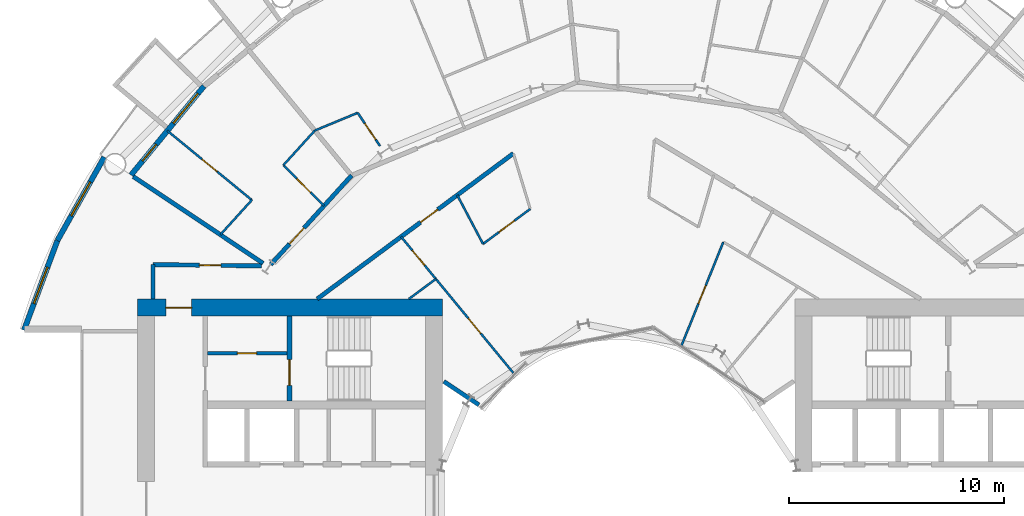
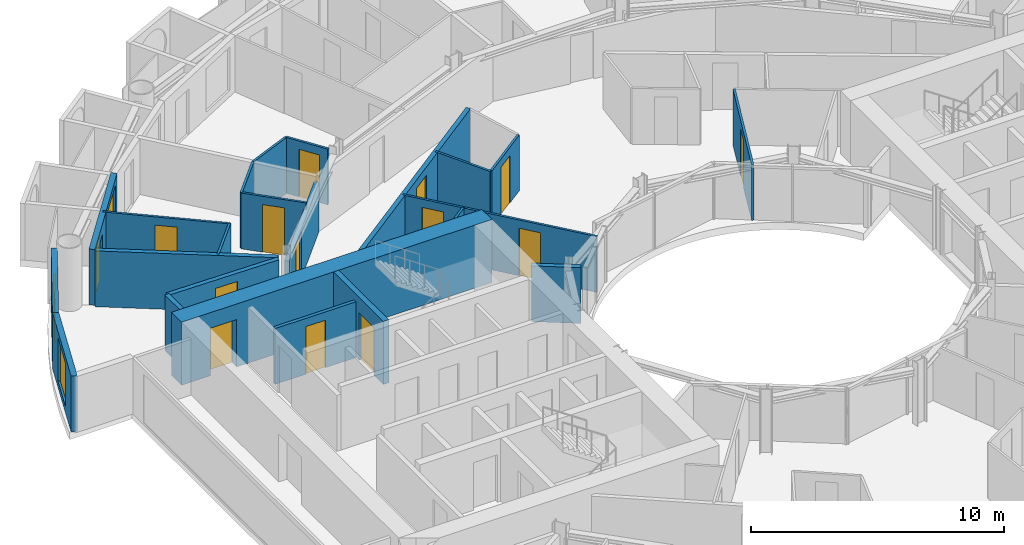
# One storey, part 18 of 26: 23 walls, 14 doors, 3 windows, 17 openings.
"""IFC4 building model written with IfcOpenShell, lengths in metres."""

from ifc_helpers import new_model, si_unit, direction, frame, frame_2d, origin, place, context, subcontext, project, spatial, rectangle, extrude, material, layer, layer_set, type_object, element, fill, save


model = new_model("IFC4")

# Units and contexts
model_context = context("Model", 3, precision=1e-05, world=origin(), true_north=direction((0.0, 1.0)))
body_context = subcontext(model_context, "Body", "Model", "MODEL_VIEW")
ifc_project = project(units=[si_unit("LENGTHUNIT", "METRE"), si_unit("AREAUNIT", "SQUARE_METRE"), si_unit("VOLUMEUNIT", "CUBIC_METRE"), si_unit("PLANEANGLEUNIT", "RADIAN"), si_unit("MASSUNIT", "GRAM", prefix="KILO")], contexts=[model_context])

# Site, building, storey
site_placement = place(None, origin())
site = spatial("IfcSite", under=ifc_project, at=site_placement, CompositionType="ELEMENT")
building_placement = place(site_placement, origin())
building = spatial("IfcBuilding", under=site, at=building_placement, Name="Maasbend Ring Residences", CompositionType="ELEMENT")
storey_placement = place(building_placement, frame((0.0, 0.0, 47.199951171875)))
storey = spatial("IfcBuildingStorey", under=building, at=storey_placement, Name="L13", CompositionType="ELEMENT", Elevation=47.199951171875)

# Wall, opening, door
ifc_material_1 = material(Name="Concrete C70/85", Category="concrete")
ifc_layer_1 = layer(ifc_material_1, 0.25)
ifc_layer_set_1 = layer_set([ifc_layer_1], Name="Concrete C70/85")
wall_type_1 = type_object("IfcWallType", Name="CORE WALL 250 C70/85", PredefinedType="SHEAR", material=ifc_layer_set_1)
wall_1_placement = place(storey_placement, frame((-15.324951171875, 8.60009765625, 0.0), z_axis=(0.0, 0.0, 1.0), x_axis=(0.0, -1.0, 0.0)))
wall_1 = element("IfcWall", 1, at=wall_1_placement, inside=storey, type_object=wall_type_1, Name="L13 core W wall STES", PredefinedType="SHEAR", context=body_context, shape_type="SweptSolid", body=[
    extrude(rectangle(XDim=3.9501953125, YDim=0.25, at=frame_2d((1.97509765625, 0.0))), origin(), (0.0, 0.0, 1.0), 3.050048828125),
])
opening_1_placement = place(wall_1_placement, frame((2.02490234375, 0.0, 0.0)))
opening_1 = element("IfcOpeningElement", 2, at=opening_1_placement, cuts=wall_1, Name="Opening D-W1311", PredefinedType="OPENING", context=body_context, shape_type="SweptSolid", body=[
    extrude(rectangle(XDim=1.199951171875, YDim=2.300048828125, at=frame_2d((0.60009765625, 1.14990234375))), frame((0.0, 0.135009765625, 0.0), z_axis=(0.0, -1.0, 0.0), x_axis=(1.0, 0.0, 0.0)), (0.0, 0.0, 1.0), 0.27001953125),
])
ifc_material_2 = material(Name="Steel, powder coated", Category="steel")
door_type_1 = type_object("IfcDoorType", Name="STAIR DOOR 1200 X 2300 FD60", OperationType="NOTDEFINED", PredefinedType="DOOR", material=ifc_material_2)
door_1_placement = place(opening_1_placement, origin())
door_1 = element("IfcDoor", 3, at=door_1_placement, inside=storey, type_object=door_type_1, Name="Stair door ST-W L13", OperationType="SINGLE_SWING_LEFT", OverallHeight=2.300048828125, OverallWidth=1.199951171875, PredefinedType="DOOR", context=body_context, shape_type="SweptSolid", body=[
    extrude(rectangle(XDim=1.199951171875, YDim=2.300048828125, at=frame_2d((0.60009765625, 1.14990234375))), frame((0.0, 0.02490234375, 0.0), z_axis=(0.0, -1.0, 0.0), x_axis=(1.0, 0.0, 0.0)), (0.0, 0.0, 1.0), 0.050048828125),
])
fill(opening_1, door_1)

ifc_material_3 = material(Name="Concrete C70/85", Category="concrete")
ifc_layer_2 = layer(ifc_material_3, 0.800048828125)
ifc_layer_set_2 = layer_set([ifc_layer_2], Name="Concrete C70/85")
wall_type_2 = type_object("IfcWallType", Name="CORE WALL 800 C70/85", PredefinedType="SHEAR", material=ifc_layer_set_2)
wall_2_placement = place(storey_placement, frame((-8.199951171875, 9.0, 0.0), z_axis=(0.0, 0.0, 1.0), x_axis=(-1.0, 0.0, 0.0)))
wall_2 = element("IfcWall", 4, at=wall_2_placement, inside=storey, type_object=wall_type_2, Name="L13 core W wall PS", PredefinedType="SHEAR", context=body_context, shape_type="SweptSolid", body=[
    extrude(rectangle(XDim=14.199951171875, YDim=0.800048828125, at=frame_2d((7.10009765625, 0.0))), origin(), (0.0, 0.0, 1.0), 3.050048828125),
])
opening_2_placement = place(wall_2_placement, frame((11.675048828125, 0.0, 0.0)))
opening_2 = element("IfcOpeningElement", 5, at=opening_2_placement, cuts=wall_2, Name="Opening D-W1315", PredefinedType="OPENING", context=body_context, shape_type="SweptSolid", body=[
    extrude(rectangle(XDim=1.199951171875, YDim=2.300048828125, at=frame_2d((0.60009765625, 1.14990234375))), frame((0.0, 0.41015625, 0.0), z_axis=(0.0, -1.0, 0.0), x_axis=(1.0, 0.0, 0.0)), (0.0, 0.0, 1.0), 0.820068359375),
])
ifc_material_4 = material(Name="Steel, powder coated", Category="steel")
door_type_2 = type_object("IfcDoorType", Name="CORRIDOR DOOR 1200 X 2300 FD30S", OperationType="NOTDEFINED", PredefinedType="DOOR", material=ifc_material_4)
door_2_placement = place(opening_2_placement, origin())
door_2 = element("IfcDoor", 6, at=door_2_placement, inside=storey, type_object=door_type_2, Name="Corridor door L13", OperationType="SINGLE_SWING_LEFT", OverallHeight=2.300048828125, OverallWidth=1.199951171875, PredefinedType="DOOR", context=body_context, shape_type="SweptSolid", body=[
    extrude(rectangle(XDim=1.199951171875, YDim=2.300048828125, at=frame_2d((0.60009765625, 1.14990234375))), frame((0.0, 0.02490234375, 0.0), z_axis=(0.0, -1.0, 0.0), x_axis=(1.0, 0.0, 0.0)), (0.0, 0.0, 1.0), 0.050048828125),
])
fill(opening_2, door_2)

ifc_material_5 = material(Name="Concrete C30/37", Category="concrete")
ifc_layer_3 = layer(ifc_material_5, 0.199951171875)
ifc_layer_set_3 = layer_set([ifc_layer_3], Name="Concrete C30/37")
wall_type_3 = type_object("IfcWallType", Name="CORRIDOR WALL 200 CONCRETE", PredefinedType="PARTITIONING", material=ifc_layer_set_3)
wall_3_placement = place(storey_placement, frame((-21.675048828125, 11.0, 0.0), z_axis=(0.0, 0.0, 1.0), x_axis=(0.99992425795, -0.012307654658, 0.0)))
wall_3 = element("IfcWall", 7, at=wall_3_placement, inside=storey, type_object=wall_type_3, Name="U-L13-w084", PredefinedType="PARTITIONING", context=body_context, shape_type="SweptSolid", body=[
    extrude(rectangle(XDim=5.03857421875, YDim=0.199951171875, at=frame_2d((2.519287109375, 0.0))), origin(), (0.0, 0.0, 1.0), 2.699951171875),
])
opening_3_placement = place(wall_3_placement, frame((2.155029296875, 0.0, 0.0)))
opening_3 = element("IfcOpeningElement", 8, at=opening_3_placement, cuts=wall_3, Name="Opening D-1360", PredefinedType="OPENING", context=body_context, shape_type="SweptSolid", body=[
    extrude(rectangle(XDim=1.0, YDim=2.300048828125, at=frame_2d((0.5, 1.14990234375))), frame((0.0, 0.10986328125, 0.0), z_axis=(0.0, -1.0, 0.0), x_axis=(1.0, 0.0, 0.0)), (0.0, 0.0, 1.0), 0.219970703125),
])
ifc_material_6 = material(Name="Timber, painted", Category="wood")
door_type_3 = type_object("IfcDoorType", Name="ROOM DOOR 1000 X 2300", OperationType="NOTDEFINED", PredefinedType="DOOR", material=ifc_material_6)
door_3_placement = place(opening_3_placement, origin())
door_3 = element("IfcDoor", 9, at=door_3_placement, inside=storey, type_object=door_type_3, Name="D-1360", OperationType="SINGLE_SWING_RIGHT", OverallHeight=2.300048828125, OverallWidth=1.0, PredefinedType="DOOR", context=body_context, shape_type="SweptSolid", body=[
    extrude(rectangle(XDim=1.0, YDim=2.300048828125, at=frame_2d((0.5, 1.14990234375))), frame((0.0, 0.02490234375, 0.0), z_axis=(0.0, -1.0, 0.0), x_axis=(1.0, 0.0, 0.0)), (0.0, 0.0, 1.0), 0.050048828125),
])
fill(opening_3, door_3)

wall_4_placement = place(storey_placement, frame((-14.037109375, 9.39990234375, 0.0), z_axis=(0.0, 0.0, 1.0), x_axis=(0.803202106898, 0.595706618626, 0.0)))
wall_4 = element("IfcWall", 10, at=wall_4_placement, inside=storey, type_object=wall_type_3, Name="U-L13-w091", PredefinedType="PARTITIONING", context=body_context, shape_type="SweptSolid", body=[
    extrude(rectangle(XDim=11.368408203125, YDim=0.199951171875, at=frame_2d((5.68408203125, 0.0))), origin(), (0.0, 0.0, 1.0), 2.699951171875),
])
opening_4_placement = place(wall_4_placement, frame((5.988037109375, 0.0, 0.0)))
opening_4 = element("IfcOpeningElement", 11, at=opening_4_placement, cuts=wall_4, Name="Opening D-1326", PredefinedType="OPENING", context=body_context, shape_type="SweptSolid", body=[
    extrude(rectangle(XDim=1.0, YDim=2.300048828125, at=frame_2d((0.5, 1.14990234375))), frame((0.0, 0.10986328125, 0.0), z_axis=(0.0, -1.0, 0.0), x_axis=(1.0, 0.0, 0.0)), (0.0, 0.0, 1.0), 0.219970703125),
])
ifc_material_7 = material(Name="Timber, fire-rated, painted", Category="wood")
door_type_4 = type_object("IfcDoorType", Name="FLAT ENTRANCE DOOR 1000 X 2300 FIRE-RATED", OperationType="NOTDEFINED", PredefinedType="DOOR", material=ifc_material_7)
door_4_placement = place(opening_4_placement, origin())
door_4 = element("IfcDoor", 12, at=door_4_placement, inside=storey, type_object=door_type_4, Name="D-1326", OperationType="SINGLE_SWING_RIGHT", OverallHeight=2.300048828125, OverallWidth=1.0, PredefinedType="DOOR", context=body_context, shape_type="SweptSolid", body=[
    extrude(rectangle(XDim=1.0, YDim=2.300048828125, at=frame_2d((0.5, 1.14990234375))), frame((0.0, 0.02490234375, 0.0), z_axis=(0.0, -1.0, 0.0), x_axis=(1.0, 0.0, 0.0)), (0.0, 0.0, 1.0), 0.050048828125),
])
fill(opening_4, door_4)

wall_5_placement = place(storey_placement, frame((-16.193115234375, 11.0029296875, 0.0), z_axis=(0.0, 0.0, 1.0), x_axis=(0.671514934772, 0.740991020444, 0.0)))
wall_5 = element("IfcWall", 13, at=wall_5_placement, inside=storey, type_object=wall_type_3, Name="U-L13-w095", PredefinedType="PARTITIONING", context=body_context, shape_type="SweptSolid", body=[
    extrude(rectangle(XDim=5.597900390625, YDim=0.199951171875, at=frame_2d((2.798828125, 0.0))), origin(), (0.0, 0.0, 1.0), 2.380126953125),
])
opening_5_placement = place(wall_5_placement, frame((1.29296875, 0.0, 0.0)))
opening_5 = element("IfcOpeningElement", 14, at=opening_5_placement, cuts=wall_5, Name="Opening D-1318", PredefinedType="OPENING", context=body_context, shape_type="SweptSolid", body=[
    extrude(rectangle(XDim=1.0, YDim=2.300048828125, at=frame_2d((0.5, 1.14990234375))), frame((0.0, 0.10986328125, 0.0), z_axis=(0.0, -1.0, 0.0), x_axis=(1.0, 0.0, 0.0)), (0.0, 0.0, 1.0), 0.219970703125),
])
door_5_placement = place(opening_5_placement, origin())
door_5 = element("IfcDoor", 15, at=door_5_placement, inside=storey, type_object=door_type_4, Name="D-1318", OperationType="SINGLE_SWING_LEFT", OverallHeight=2.300048828125, OverallWidth=1.0, PredefinedType="DOOR", context=body_context, shape_type="SweptSolid", body=[
    extrude(rectangle(XDim=1.0, YDim=2.300048828125, at=frame_2d((0.5, 1.14990234375))), frame((0.0, 0.02490234375, 0.0), z_axis=(0.0, -1.0, 0.0), x_axis=(1.0, 0.0, 0.0)), (0.0, 0.0, 1.0), 0.050048828125),
])
fill(opening_5, door_5)

# Wall
wall_6_placement = place(storey_placement, frame((-21.675048828125, 9.39990234375, 0.0), z_axis=(0.0, 0.0, 1.0), x_axis=(0.0, 1.0, 0.0)))
element("IfcWall", 16, at=wall_6_placement, inside=storey, type_object=wall_type_3, Name="U-L13-w103", PredefinedType="PARTITIONING", context=body_context, shape_type="SweptSolid", body=[
    extrude(rectangle(XDim=1.60009765625, YDim=0.199951171875, at=frame_2d((0.800048828125, 0.0))), origin(), (0.0, 0.0, 1.0), 2.699951171875),
])

# Wall, openings, door, window
ifc_material_8 = material(Name="Aluminium clad insulated panel", Category="aluminium")
ifc_layer_4 = layer(ifc_material_8, 0.25)
ifc_layer_set_4 = layer_set([ifc_layer_4], Name="EW-GL")
wall_type_4 = type_object("IfcWallType", Name="EW-GL", PredefinedType="SOLIDWALL", material=ifc_layer_set_4)
wall_7_placement = place(storey_placement, frame((-19.303955078125, 19.303955078125, 0.0), z_axis=(0.0, 0.0, 1.0), x_axis=(-0.634382322723, -0.773019449054, 0.0)))
wall_7 = element("IfcWall", 17, at=wall_7_placement, inside=storey, type_object=wall_type_4, Name="External wall N10", PredefinedType="SOLIDWALL", context=body_context, shape_type="SweptSolid", body=[
    extrude(rectangle(XDim=5.351806640625, YDim=0.25, at=frame_2d((2.67578125, 0.0))), origin(), (0.0, 0.0, 1.0), 2.699951171875),
])
opening_6_placement = place(wall_7_placement, frame((0.441162109375, 0.0, 0.300048828125)))
opening_6 = element("IfcOpeningElement", 18, at=opening_6_placement, cuts=wall_7, Name="Opening W-BX", PredefinedType="OPENING", context=body_context, shape_type="SweptSolid", body=[
    extrude(rectangle(XDim=1.800048828125, YDim=2.10009765625, at=frame_2d((0.89990234375, 1.050048828125))), frame((0.0, 0.135009765625, 0.0), z_axis=(0.0, -1.0, 0.0), x_axis=(1.0, 0.0, 0.0)), (0.0, 0.0, 1.0), 0.27001953125),
])
opening_7_placement = place(wall_7_placement, frame((3.510498046875, 0.0, 0.0)))
opening_7 = element("IfcOpeningElement", 19, at=opening_7_placement, cuts=wall_7, Name="Opening D-LG", PredefinedType="OPENING", context=body_context, shape_type="SweptSolid", body=[
    extrude(rectangle(XDim=1.0, YDim=2.199951171875, at=frame_2d((0.5, 1.10009765625))), frame((0.0, 0.135009765625, 0.0), z_axis=(0.0, -1.0, 0.0), x_axis=(1.0, 0.0, 0.0)), (0.0, 0.0, 1.0), 0.27001953125),
])
ifc_material_9 = material(Name="Aluminium and clear glass", Category="aluminium")
door_type_5 = type_object("IfcDoorType", Name="D-LG", OperationType="SINGLE_SWING_LEFT", PredefinedType="DOOR", material=ifc_material_9)
door_6_placement = place(opening_7_placement, origin())
door_6 = element("IfcDoor", 20, at=door_6_placement, inside=storey, type_object=door_type_5, Name="Loggia door N20", OperationType="SINGLE_SWING_LEFT", OverallHeight=2.199951171875, OverallWidth=1.0, PredefinedType="DOOR", context=body_context, shape_type="SweptSolid", body=[
    extrude(rectangle(XDim=1.0, YDim=2.199951171875, at=frame_2d((0.5, 1.10009765625))), frame((0.0, 0.02490234375, 0.0), z_axis=(0.0, -1.0, 0.0), x_axis=(1.0, 0.0, 0.0)), (0.0, 0.0, 1.0), 0.050048828125),
])
fill(opening_7, door_6)
ifc_material_10 = material(Name="Aluminium and clear glass", Category="aluminium")
window_type = type_object("IfcWindowType", Name="W-BX", PartitioningType="DOUBLE_PANEL_VERTICAL", PredefinedType="WINDOW", material=ifc_material_10)
window_1_placement = place(opening_6_placement, origin())
window_1 = element("IfcWindow", 21, at=window_1_placement, inside=storey, type_object=window_type, Name="Window N19 room to box", OverallHeight=2.10009765625, OverallWidth=1.800048828125, PartitioningType="SINGLE_PANEL", PredefinedType="WINDOW", context=body_context, shape_type="SweptSolid", body=[
    extrude(rectangle(XDim=1.800048828125, YDim=2.10009765625, at=frame_2d((0.89990234375, 1.050048828125))), frame((0.0, 0.030029296875, 0.0), z_axis=(0.0, -1.0, 0.0), x_axis=(1.0, 0.0, 0.0)), (0.0, 0.0, 1.0), 0.06005859375),
])
fill(opening_6, window_1)

# Wall, opening, window
ifc_material_11 = material(Name="Aluminium clad insulated panel", Category="aluminium")
ifc_layer_5 = layer(ifc_material_11, 0.25)
ifc_layer_set_5 = layer_set([ifc_layer_5], Name="EW-HORN")
wall_type_5 = type_object("IfcWallType", Name="EW-HORN", PredefinedType="SOLIDWALL", material=ifc_layer_set_5)
wall_8_placement = place(storey_placement, frame((-23.946044921875, 16.0, 0.0), z_axis=(0.0, 0.0, 1.0), x_axis=(-0.489696356642, -0.871893042919, 0.0)))
wall_8 = element("IfcWall", 22, at=wall_8_placement, inside=storey, type_object=wall_type_5, Name="Horn wall 4.1", PredefinedType="SOLIDWALL", context=body_context, shape_type="SweptSolid", body=[
    extrude(rectangle(XDim=4.45361328125, YDim=0.25, at=frame_2d((2.226806640625, 0.0))), origin(), (0.0, 0.0, 1.0), 2.699951171875),
])
opening_8_placement = place(wall_8_placement, frame((1.32666015625, 0.0, 0.300048828125)))
opening_8 = element("IfcOpeningElement", 23, at=opening_8_placement, cuts=wall_8, Name="Opening W-BX", PredefinedType="OPENING", context=body_context, shape_type="SweptSolid", body=[
    extrude(rectangle(XDim=1.800048828125, YDim=2.10009765625, at=frame_2d((0.89990234375, 1.050048828125))), frame((0.0, 0.135009765625, 0.0), z_axis=(0.0, -1.0, 0.0), x_axis=(1.0, 0.0, 0.0)), (0.0, 0.0, 1.0), 0.27001953125),
])
window_2_placement = place(opening_8_placement, origin())
window_2 = element("IfcWindow", 24, at=window_2_placement, inside=storey, type_object=window_type, Name="Horn window 4.1", OverallHeight=2.10009765625, OverallWidth=1.800048828125, PartitioningType="SINGLE_PANEL", PredefinedType="WINDOW", context=body_context, shape_type="SweptSolid", body=[
    extrude(rectangle(XDim=1.800048828125, YDim=2.10009765625, at=frame_2d((0.89990234375, 1.050048828125))), frame((0.0, 0.030029296875, 0.0), z_axis=(0.0, -1.0, 0.0), x_axis=(1.0, 0.0, 0.0)), (0.0, 0.0, 1.0), 0.06005859375),
])
fill(opening_8, window_2)

wall_9_placement = place(storey_placement, frame((-26.126953125, 12.116943359375, 0.0), z_axis=(0.0, 0.0, 1.0), x_axis=(-0.349247811493, -0.937030397675, 0.0)))
wall_9 = element("IfcWall", 25, at=wall_9_placement, inside=storey, type_object=wall_type_5, Name="Horn wall 4.2", PredefinedType="SOLIDWALL", context=body_context, shape_type="SweptSolid", body=[
    extrude(rectangle(XDim=4.4521484375, YDim=0.25, at=frame_2d((2.22607421875, 0.0))), origin(), (0.0, 0.0, 1.0), 2.699951171875),
])
opening_9_placement = place(wall_9_placement, frame((1.32666015625, 0.0, 0.300048828125)))
opening_9 = element("IfcOpeningElement", 26, at=opening_9_placement, cuts=wall_9, Name="Opening W-BX", PredefinedType="OPENING", context=body_context, shape_type="SweptSolid", body=[
    extrude(rectangle(XDim=1.800048828125, YDim=2.10009765625, at=frame_2d((0.89990234375, 1.050048828125))), frame((0.0, 0.135009765625, 0.0), z_axis=(0.0, -1.0, 0.0), x_axis=(1.0, 0.0, 0.0)), (0.0, 0.0, 1.0), 0.27001953125),
])
window_3_placement = place(opening_9_placement, origin())
window_3 = element("IfcWindow", 27, at=window_3_placement, inside=storey, type_object=window_type, Name="Horn window 4.2", OverallHeight=2.10009765625, OverallWidth=1.800048828125, PartitioningType="SINGLE_PANEL", PredefinedType="WINDOW", context=body_context, shape_type="SweptSolid", body=[
    extrude(rectangle(XDim=1.800048828125, YDim=2.10009765625, at=frame_2d((0.89990234375, 1.050048828125))), frame((0.0, 0.030029296875, 0.0), z_axis=(0.0, -1.0, 0.0), x_axis=(1.0, 0.0, 0.0)), (0.0, 0.0, 1.0), 0.06005859375),
])
fill(opening_9, window_3)

# Wall, opening, door
ifc_material_12 = material(Name="Gypsum board on steel studs", Category="steel")
ifc_layer_6 = layer(ifc_material_12, 0.10009765625)
ifc_layer_set_6 = layer_set([ifc_layer_6], Name="PARTITION 100 GYPSUM")
wall_type_6 = type_object("IfcWallType", Name="PARTITION 100 GYPSUM", PredefinedType="PARTITIONING", material=ifc_layer_set_6)
wall_10_placement = place(storey_placement, frame((-21.013916015625, 17.23095703125, 0.0), z_axis=(0.0, 0.0, 1.0), x_axis=(0.773219330916, -0.634138680651, 0.0)))
wall_10 = element("IfcWall", 28, at=wall_10_placement, inside=storey, type_object=wall_type_6, Name="U-L13-w034", PredefinedType="PARTITIONING", context=body_context, shape_type="SweptSolid", body=[
    extrude(rectangle(XDim=5.0888671875, YDim=0.10009765625, at=frame_2d((2.54443359375, 0.0))), origin(), (0.0, 0.0, 1.0), 2.699951171875),
])
opening_10_placement = place(wall_10_placement, frame((2.094970703125, 0.0, 0.0)))
opening_10 = element("IfcOpeningElement", 29, at=opening_10_placement, cuts=wall_10, Name="Opening D-1320", PredefinedType="OPENING", context=body_context, shape_type="SweptSolid", body=[
    extrude(rectangle(XDim=0.89990234375, YDim=2.300048828125, at=frame_2d((0.449951171875, 1.14990234375))), frame((0.0, 0.06005859375, 0.0), z_axis=(0.0, -1.0, 0.0), x_axis=(1.0, 0.0, 0.0)), (0.0, 0.0, 1.0), 0.1201171875),
])
ifc_material_13 = material(Name="Timber, painted", Category="wood")
door_type_6 = type_object("IfcDoorType", Name="INTERNAL DOOR 900 X 2300", OperationType="NOTDEFINED", PredefinedType="DOOR", material=ifc_material_13)
door_7_placement = place(opening_10_placement, origin())
door_7 = element("IfcDoor", 30, at=door_7_placement, inside=storey, type_object=door_type_6, Name="D-1320", OperationType="SINGLE_SWING_RIGHT", OverallHeight=2.300048828125, OverallWidth=0.89990234375, PredefinedType="DOOR", context=body_context, shape_type="SweptSolid", body=[
    extrude(rectangle(XDim=0.89990234375, YDim=2.300048828125, at=frame_2d((0.449951171875, 1.14990234375))), frame((0.0, 0.02490234375, 0.0), z_axis=(0.0, -1.0, 0.0), x_axis=(1.0, 0.0, 0.0)), (0.0, 0.0, 1.0), 0.050048828125),
])
fill(opening_10, door_7)

wall_11_placement = place(storey_placement, frame((-15.612060546875, 15.6220703125, 0.0), z_axis=(0.0, 0.0, 1.0), x_axis=(0.706741540154, -0.707471833659, 0.0)))
wall_11 = element("IfcWall", 31, at=wall_11_placement, inside=storey, type_object=wall_type_6, Name="U-L13-w039", PredefinedType="PARTITIONING", context=body_context, shape_type="SweptSolid", body=[
    extrude(rectangle(XDim=2.67431640625, YDim=0.10009765625, at=frame_2d((1.337158203125, 0.0))), origin(), (0.0, 0.0, 1.0), 2.699951171875),
])
opening_11_placement = place(wall_11_placement, frame((0.886962890625, 0.0, 0.0)))
opening_11 = element("IfcOpeningElement", 32, at=opening_11_placement, cuts=wall_11, Name="Opening D-1319", PredefinedType="OPENING", context=body_context, shape_type="SweptSolid", body=[
    extrude(rectangle(XDim=0.89990234375, YDim=2.300048828125, at=frame_2d((0.449951171875, 1.14990234375))), frame((0.0, 0.06005859375, 0.0), z_axis=(0.0, -1.0, 0.0), x_axis=(1.0, 0.0, 0.0)), (0.0, 0.0, 1.0), 0.1201171875),
])
door_8_placement = place(opening_11_placement, origin())
door_8 = element("IfcDoor", 33, at=door_8_placement, inside=storey, type_object=door_type_6, Name="D-1319", OperationType="SINGLE_SWING_RIGHT", OverallHeight=2.300048828125, OverallWidth=0.89990234375, PredefinedType="DOOR", context=body_context, shape_type="SweptSolid", body=[
    extrude(rectangle(XDim=0.89990234375, YDim=2.300048828125, at=frame_2d((0.449951171875, 1.14990234375))), frame((0.0, 0.02490234375, 0.0), z_axis=(0.0, -1.0, 0.0), x_axis=(1.0, 0.0, 0.0)), (0.0, 0.0, 1.0), 0.050048828125),
])
fill(opening_11, door_8)

wall_12_placement = place(storey_placement, frame((-12.153076171875, 18.06396484375, 0.0), z_axis=(0.0, 0.0, 1.0), x_axis=(0.558084773293, -0.829783939239, 0.0)))
wall_12 = element("IfcWall", 34, at=wall_12_placement, inside=storey, type_object=wall_type_6, Name="U-L13-w041", PredefinedType="PARTITIONING", context=body_context, shape_type="SweptSolid", body=[
    extrude(rectangle(XDim=1.86181640625, YDim=0.10009765625, at=frame_2d((0.930908203125, 0.0))), origin(), (0.0, 0.0, 1.0), 2.699951171875),
])
opening_12_placement = place(wall_12_placement, frame((0.60009765625, 0.0, 0.0)))
opening_12 = element("IfcOpeningElement", 35, at=opening_12_placement, cuts=wall_12, Name="Opening D-1313", PredefinedType="OPENING", context=body_context, shape_type="SweptSolid", body=[
    extrude(rectangle(XDim=0.89990234375, YDim=2.300048828125, at=frame_2d((0.449951171875, 1.14990234375))), frame((0.0, 0.06005859375, 0.0), z_axis=(0.0, -1.0, 0.0), x_axis=(1.0, 0.0, 0.0)), (0.0, 0.0, 1.0), 0.1201171875),
])
door_9_placement = place(opening_12_placement, origin())
door_9 = element("IfcDoor", 36, at=door_9_placement, inside=storey, type_object=door_type_6, Name="D-1313", OperationType="SINGLE_SWING_RIGHT", OverallHeight=2.300048828125, OverallWidth=0.89990234375, PredefinedType="DOOR", context=body_context, shape_type="SweptSolid", body=[
    extrude(rectangle(XDim=0.89990234375, YDim=2.300048828125, at=frame_2d((0.449951171875, 1.14990234375))), frame((0.0, 0.02490234375, 0.0), z_axis=(0.0, -1.0, 0.0), x_axis=(1.0, 0.0, 0.0)), (0.0, 0.0, 1.0), 0.050048828125),
])
fill(opening_12, door_9)

# Wall, openings, doors
wall_13_placement = place(storey_placement, frame((-10.132080078125, 12.2958984375, 0.0), z_axis=(0.0, 0.0, 1.0), x_axis=(0.635976043025, -0.771708800454, 0.0)))
wall_13 = element("IfcWall", 37, at=wall_13_placement, inside=storey, type_object=wall_type_6, Name="U-L13-w044", PredefinedType="PARTITIONING", context=body_context, shape_type="SweptSolid", body=[
    extrude(rectangle(XDim=8.212890625, YDim=0.10009765625, at=frame_2d((4.1064453125, 0.0))), origin(), (0.0, 0.0, 1.0), 2.699951171875),
])
opening_13_placement = place(wall_13_placement, frame((0.822998046875, 0.0, 0.0)))
opening_13 = element("IfcOpeningElement", 38, at=opening_13_placement, cuts=wall_13, Name="Opening D-1328", PredefinedType="OPENING", context=body_context, shape_type="SweptSolid", body=[
    extrude(rectangle(XDim=0.89990234375, YDim=2.300048828125, at=frame_2d((0.449951171875, 1.14990234375))), frame((0.0, 0.06005859375, 0.0), z_axis=(0.0, -1.0, 0.0), x_axis=(1.0, 0.0, 0.0)), (0.0, 0.0, 1.0), 0.1201171875),
])
opening_14_placement = place(wall_13_placement, frame((4.928955078125, 0.0, 0.0)))
opening_14 = element("IfcOpeningElement", 39, at=opening_14_placement, cuts=wall_13, Name="Opening D-1329", PredefinedType="OPENING", context=body_context, shape_type="SweptSolid", body=[
    extrude(rectangle(XDim=0.89990234375, YDim=2.300048828125, at=frame_2d((0.449951171875, 1.14990234375))), frame((0.0, 0.06005859375, 0.0), z_axis=(0.0, -1.0, 0.0), x_axis=(1.0, 0.0, 0.0)), (0.0, 0.0, 1.0), 0.1201171875),
])
door_10_placement = place(opening_13_placement, origin())
door_10 = element("IfcDoor", 40, at=door_10_placement, inside=storey, type_object=door_type_6, Name="D-1328", OperationType="SINGLE_SWING_LEFT", OverallHeight=2.300048828125, OverallWidth=0.89990234375, PredefinedType="DOOR", context=body_context, shape_type="SweptSolid", body=[
    extrude(rectangle(XDim=0.89990234375, YDim=2.300048828125, at=frame_2d((0.449951171875, 1.14990234375))), frame((0.0, 0.02490234375, 0.0), z_axis=(0.0, -1.0, 0.0), x_axis=(1.0, 0.0, 0.0)), (0.0, 0.0, 1.0), 0.050048828125),
])
fill(opening_13, door_10)
door_11_placement = place(opening_14_placement, origin())
door_11 = element("IfcDoor", 41, at=door_11_placement, inside=storey, type_object=door_type_6, Name="D-1329", OperationType="SINGLE_SWING_RIGHT", OverallHeight=2.300048828125, OverallWidth=0.89990234375, PredefinedType="DOOR", context=body_context, shape_type="SweptSolid", body=[
    extrude(rectangle(XDim=0.89990234375, YDim=2.300048828125, at=frame_2d((0.449951171875, 1.14990234375))), frame((0.0, 0.02490234375, 0.0), z_axis=(0.0, -1.0, 0.0), x_axis=(1.0, 0.0, 0.0)), (0.0, 0.0, 1.0), 0.050048828125),
])
fill(opening_14, door_11)

# Wall
wall_14_placement = place(storey_placement, frame((-7.51904296875, 14.23388671875, 0.0), z_axis=(0.0, 0.0, 1.0), x_axis=(0.467001992543, -0.884256263173, 0.0)))
element("IfcWall", 42, at=wall_14_placement, inside=storey, type_object=wall_type_6, Name="U-L13-w048", PredefinedType="PARTITIONING", context=body_context, shape_type="SweptSolid", body=[
    extrude(rectangle(XDim=2.571533203125, YDim=0.10009765625, at=frame_2d((1.28564453125, 0.0))), origin(), (0.0, 0.0, 1.0), 2.699951171875),
])

# Wall, opening, door
wall_15_placement = place(storey_placement, frame((2.888916015625, 7.158935546875, 0.0), z_axis=(0.0, 0.0, 1.0), x_axis=(0.374372761824, 0.927278294367, 0.0)))
wall_15 = element("IfcWall", 43, at=wall_15_placement, inside=storey, type_object=wall_type_6, Name="U-L13-w057", PredefinedType="PARTITIONING", context=body_context, shape_type="SweptSolid", body=[
    extrude(rectangle(XDim=5.275634765625, YDim=0.10009765625, at=frame_2d((2.6376953125, 0.0))), origin(), (0.0, 0.0, 1.0), 2.699951171875),
])
opening_15_placement = place(wall_15_placement, frame((2.18798828125, 0.0, 0.0)))
opening_15 = element("IfcOpeningElement", 44, at=opening_15_placement, cuts=wall_15, Name="Opening D-1324", PredefinedType="OPENING", context=body_context, shape_type="SweptSolid", body=[
    extrude(rectangle(XDim=0.89990234375, YDim=2.300048828125, at=frame_2d((0.449951171875, 1.14990234375))), frame((0.0, 0.06005859375, 0.0), z_axis=(0.0, -1.0, 0.0), x_axis=(1.0, 0.0, 0.0)), (0.0, 0.0, 1.0), 0.1201171875),
])
door_12_placement = place(opening_15_placement, origin())
door_12 = element("IfcDoor", 45, at=door_12_placement, inside=storey, type_object=door_type_6, Name="D-1324", OperationType="SINGLE_SWING_RIGHT", OverallHeight=2.300048828125, OverallWidth=0.89990234375, PredefinedType="DOOR", context=body_context, shape_type="SweptSolid", body=[
    extrude(rectangle(XDim=0.89990234375, YDim=2.300048828125, at=frame_2d((0.449951171875, 1.14990234375))), frame((0.0, 0.02490234375, 0.0), z_axis=(0.0, -1.0, 0.0), x_axis=(1.0, 0.0, 0.0)), (0.0, 0.0, 1.0), 0.050048828125),
])
fill(opening_15, door_12)

# Wall
wall_16_placement = place(storey_placement, frame((-9.77197265625, 9.39794921875, 0.0), z_axis=(0.0, 0.0, 1.0), x_axis=(0.803264156882, 0.595622946392, 0.0)))
element("IfcWall", 46, at=wall_16_placement, inside=storey, type_object=wall_type_6, Name="U-L13-w088", PredefinedType="PARTITIONING", context=body_context, shape_type="SweptSolid", body=[
    extrude(rectangle(XDim=1.56494140625, YDim=0.10009765625, at=frame_2d((0.782470703125, 0.0))), origin(), (0.0, 0.0, 1.0), 2.699951171875),
])

# Wall, opening, door
wall_17_placement = place(storey_placement, frame((-6.318115234375, 11.9599609375, 0.0), z_axis=(0.0, 0.0, 1.0), x_axis=(0.803128348509, 0.595806055542, 0.0)))
wall_17 = element("IfcWall", 47, at=wall_17_placement, inside=storey, type_object=wall_type_6, Name="U-L13-w089", PredefinedType="PARTITIONING", context=body_context, shape_type="SweptSolid", body=[
    extrude(rectangle(XDim=2.734375, YDim=0.10009765625, at=frame_2d((1.3671875, 0.0))), origin(), (0.0, 0.0, 1.0), 2.699951171875),
])
opening_16_placement = place(wall_17_placement, frame((0.9169921875, 0.0, 0.0)))
opening_16 = element("IfcOpeningElement", 48, at=opening_16_placement, cuts=wall_17, Name="Opening D-1327", PredefinedType="OPENING", context=body_context, shape_type="SweptSolid", body=[
    extrude(rectangle(XDim=0.89990234375, YDim=2.300048828125, at=frame_2d((0.449951171875, 1.14990234375))), frame((0.0, 0.06005859375, 0.0), z_axis=(0.0, -1.0, 0.0), x_axis=(1.0, 0.0, 0.0)), (0.0, 0.0, 1.0), 0.1201171875),
])
door_13_placement = place(opening_16_placement, origin())
door_13 = element("IfcDoor", 49, at=door_13_placement, inside=storey, type_object=door_type_6, Name="D-1327", OperationType="SINGLE_SWING_RIGHT", OverallHeight=2.300048828125, OverallWidth=0.89990234375, PredefinedType="DOOR", context=body_context, shape_type="SweptSolid", body=[
    extrude(rectangle(XDim=0.89990234375, YDim=2.300048828125, at=frame_2d((0.449951171875, 1.14990234375))), frame((0.0, 0.02490234375, 0.0), z_axis=(0.0, -1.0, 0.0), x_axis=(1.0, 0.0, 0.0)), (0.0, 0.0, 1.0), 0.050048828125),
])
fill(opening_16, door_13)

# Walls
wall_18_placement = place(storey_placement, frame((-14.14892578125, 17.236083984375, 0.0), z_axis=(0.0, 0.0, 1.0), x_axis=(0.923874819588, 0.382694810171, 0.0)))
element("IfcWall", 50, at=wall_18_placement, inside=storey, type_object=wall_type_6, Name="U-L13-w096", PredefinedType="PARTITIONING", context=body_context, shape_type="SweptSolid", body=[
    extrude(rectangle(XDim=2.158203125, YDim=0.10009765625, at=frame_2d((1.0791015625, 0.0))), origin(), (0.0, 0.0, 1.0), 2.699951171875),
])
for number, where, z_axis, x_axis, name in (
    (51, (-18.5380859375, 12.39404296875, 0.0), (0.0, 0.0, 1.0), (0.67169789574, 0.740825172937, 0.0), "U-L13-w104"),
    (52, (-15.613037109375, 15.62109375, 0.0), (0.0, 0.0, 1.0), (0.67169789574, 0.740825172937, 0.0), "U-L13-w105"),
):
    element("IfcWall", number, at=place(storey_placement, frame(where, z_axis=z_axis, x_axis=x_axis)), inside=storey, type_object=wall_type_6, Name=name, PredefinedType="PARTITIONING", context=body_context, shape_type="SweptSolid", body=[
        extrude(rectangle(XDim=2.1826171875, YDim=0.10009765625, at=frame_2d((1.09130859375, 0.0))), origin(), (0.0, 0.0, 1.0), 2.699951171875),
    ])

# Wall, opening, door
ifc_material_14 = material(Name="Gypsum board on steel studs", Category="steel")
ifc_layer_7 = layer(ifc_material_14, 0.14990234375)
ifc_layer_set_7 = layer_set([ifc_layer_7], Name="PARTITION 150 EI 60")
wall_type_7 = type_object("IfcWallType", Name="PARTITION 150 EI 60", PredefinedType="PARTITIONING", material=ifc_layer_set_7)
wall_19_placement = place(storey_placement, frame((-15.449951171875, 6.875, 0.0), z_axis=(0.0, 0.0, 1.0), x_axis=(-1.0, 0.0, 0.0)))
wall_19 = element("IfcWall", 53, at=wall_19_placement, inside=storey, type_object=wall_type_7, Name="L13 core W wall RHS", PredefinedType="PARTITIONING", context=body_context, shape_type="SweptSolid", body=[
    extrude(rectangle(XDim=3.699951171875, YDim=0.14990234375, at=frame_2d((1.85009765625, 0.0))), origin(), (0.0, 0.0, 1.0), 2.699951171875),
])
opening_17_placement = place(wall_19_placement, frame((1.39990234375, 0.0, 0.0)))
opening_17 = element("IfcOpeningElement", 54, at=opening_17_placement, cuts=wall_19, Name="Opening D-W1309", PredefinedType="OPENING", context=body_context, shape_type="SweptSolid", body=[
    extrude(rectangle(XDim=0.89990234375, YDim=2.300048828125, at=frame_2d((0.449951171875, 1.14990234375))), frame((0.0, 0.0849609375, 0.0), z_axis=(0.0, -1.0, 0.0), x_axis=(1.0, 0.0, 0.0)), (0.0, 0.0, 1.0), 0.169921875),
])
ifc_material_15 = material(Name="Steel, powder coated", Category="steel")
door_type_7 = type_object("IfcDoorType", Name="RISER DOOR 900 X 2300 FD60", OperationType="NOTDEFINED", PredefinedType="DOOR", material=ifc_material_15)
door_14_placement = place(opening_17_placement, origin())
door_14 = element("IfcDoor", 55, at=door_14_placement, inside=storey, type_object=door_type_7, Name="Riser door L13", OperationType="SINGLE_SWING_LEFT", OverallHeight=2.300048828125, OverallWidth=0.89990234375, PredefinedType="DOOR", context=body_context, shape_type="SweptSolid", body=[
    extrude(rectangle(XDim=0.89990234375, YDim=2.300048828125, at=frame_2d((0.449951171875, 1.14990234375))), frame((0.0, 0.02490234375, 0.0), z_axis=(0.0, -1.0, 0.0), x_axis=(1.0, 0.0, 0.0)), (0.0, 0.0, 1.0), 0.050048828125),
])
fill(opening_17, door_14)

# Walls
ifc_material_16 = material(Name="Concrete C30/37", Category="concrete")
ifc_layer_8 = layer(ifc_material_16, 0.199951171875)
ifc_layer_set_8 = layer_set([ifc_layer_8], Name="Concrete C30/37")
wall_type_8 = type_object("IfcWallType", Name="PARTY WALL 200 CONCRETE", PredefinedType="PARTITIONING", material=ifc_layer_set_8)
wall_20_placement = place(storey_placement, frame((-22.595947265625, 15.096923828125, 0.0), z_axis=(0.0, 0.0, 1.0), x_axis=(0.831507055747, -0.555514190857, 0.0)))
element("IfcWall", 56, at=wall_20_placement, inside=storey, type_object=wall_type_8, Name="U-L13-w032", PredefinedType="PARTITIONING", context=body_context, shape_type="SweptSolid", body=[
    extrude(rectangle(XDim=7.26513671875, YDim=0.199951171875, at=frame_2d((3.632568359375, 0.0))), origin(), (0.0, 0.0, 1.0), 2.699951171875),
])
wall_21_placement = place(storey_placement, frame((-6.512939453125, 4.471923828125, 0.0), z_axis=(0.0, 0.0, 1.0), x_axis=(-0.831417956244, 0.555647533996, 0.0)))
element("IfcWall", 57, at=wall_21_placement, inside=storey, type_object=wall_type_8, Name="U-L13-w082", PredefinedType="PARTITIONING", context=body_context, shape_type="SweptSolid", body=[
    extrude(rectangle(XDim=1.9619140625, YDim=0.199951171875, at=frame_2d((0.98095703125, 0.0))), origin(), (0.0, 0.0, 1.0), 2.699951171875),
])

save(model, "model.ifc")
